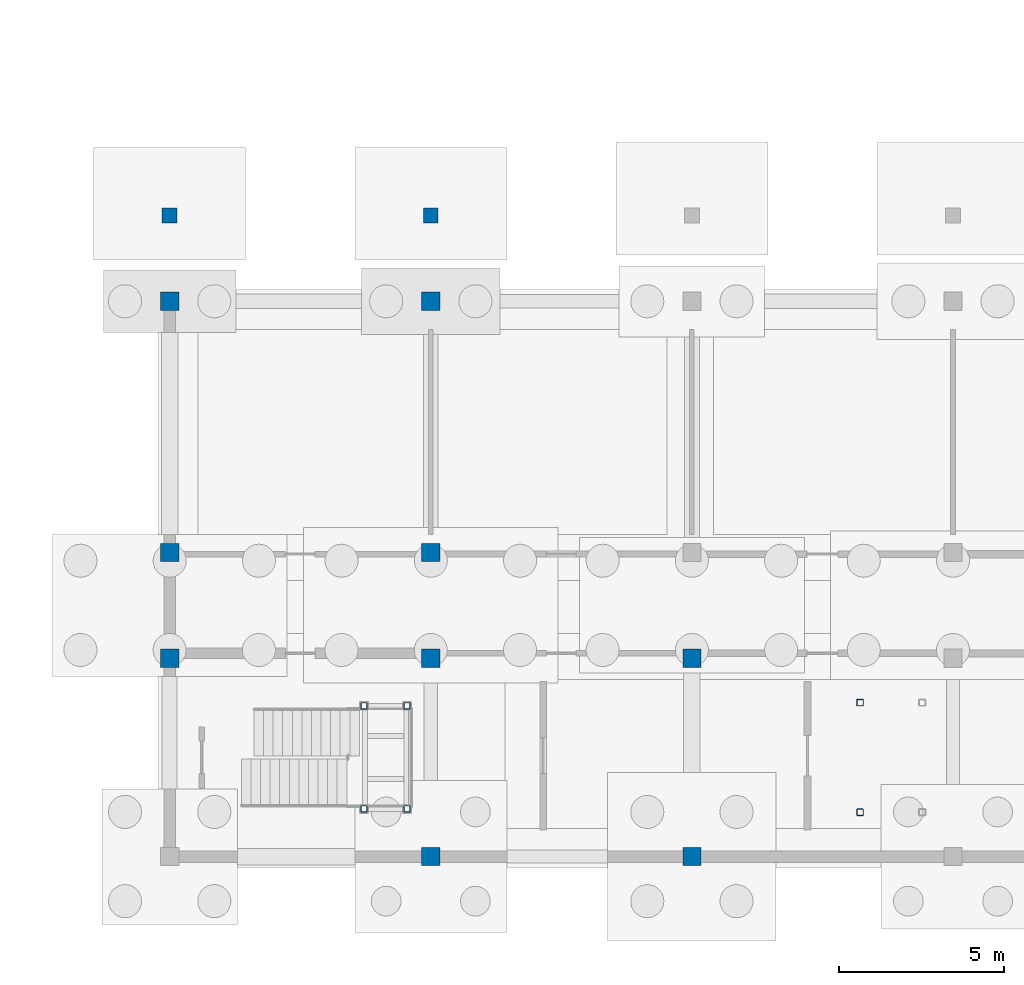
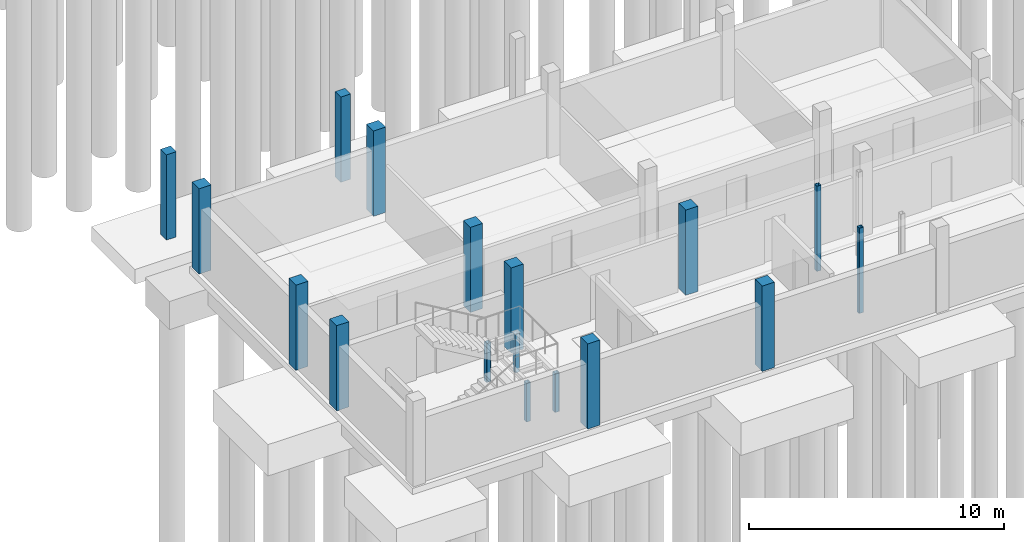
# One storey, part 9 of 58: 17 columns.
"""IFC4 building model written with IfcOpenShell, lengths in metres."""

from ifc_helpers import new_model, si_unit, direction, frame, origin, origin_2d, place, context, subcontext, project, spatial, rectangle, hollow_rectangle, extrude, material, material_profile, profile_set, type_object, element, save


model = new_model("IFC4")

# Units and contexts
model_context = context("Model", 3, precision=1e-05, world=origin(), true_north=direction((0.0, 1.0)))
body_context = subcontext(model_context, "Body", "Model", "MODEL_VIEW")
ifc_project = project(units=[si_unit("LENGTHUNIT", "METRE"), si_unit("AREAUNIT", "SQUARE_METRE"), si_unit("VOLUMEUNIT", "CUBIC_METRE"), si_unit("PLANEANGLEUNIT", "RADIAN"), si_unit("MASSUNIT", "GRAM", prefix="KILO")], contexts=[model_context])

# Site, building, storey
site_placement = place(None, origin())
site = spatial("IfcSite", under=ifc_project, at=site_placement, CompositionType="ELEMENT")
building_placement = place(site_placement, origin())
building = spatial("IfcBuilding", under=site, at=building_placement, Name="Caldaven Crescent School", CompositionType="ELEMENT")
storey_placement = place(building_placement, frame((0.0, 0.0, -4.080078125)))
storey = spatial("IfcBuildingStorey", under=building, at=storey_placement, Name="B1", CompositionType="ELEMENT", Elevation=-4.080078125)

# Columns
ifc_material_1 = material(Name="Steel ASTM A572 Grade 50", Category="steel")
ifc_material_profile_1 = material_profile(ifc_material_1, hollow_rectangle(XDim=0.199951171875, YDim=0.199951171875, WallThickness=0.010009765625, InnerFilletRadius=0.010009765625, OuterFilletRadius=0.02001953125, at=origin_2d()), Name="HSS 200x200x10")
ifc_profile_set_1 = profile_set([ifc_material_profile_1], Name="Steel ASTM A572 Grade 50")
column_type_1 = type_object("IfcColumnType", Name="COL-HS20", PredefinedType="COLUMN", material=ifc_profile_set_1)
for number, where, z_axis, x_axis, name in (
    (1, (31.3798828125, 5.639892578125, 0.0), (0.0, 0.0, 1.0), (1.0, 0.0, 0.0), "COL-STPOST-STB2-B1-A"),
    (2, (31.3798828125, 8.760009765625, 0.0), (0.0, 0.0, 1.0), (1.0, 0.0, 0.0), "COL-STPOST-STB2-B1-B"),
    (3, (32.679931640625, 5.639892578125, 0.0), (0.0, 0.0, 1.0), (1.0, 0.0, 0.0), "COL-STPOST-STB2-B1-C"),
    (4, (32.679931640625, 8.760009765625, 0.0), (0.0, 0.0, 1.0), (1.0, 0.0, 0.0), "COL-STPOST-STB2-B1-D"),
):
    element("IfcColumn", number, at=place(storey_placement, frame(where, z_axis=z_axis, x_axis=x_axis)), inside=storey, type_object=column_type_1, Name=name, PredefinedType="COLUMN", context=body_context, shape_type="SweptSolid", body=[
        extrude(hollow_rectangle(XDim=0.199951171875, YDim=0.199951171875, WallThickness=0.010009765625, InnerFilletRadius=0.010009765625, OuterFilletRadius=0.02001953125, at=origin_2d()), origin(), (0.0, 0.0, 1.0), 1.860107421875),
    ])
for number, where, z_axis, x_axis, name in (
    (5, (46.389892578125, 5.5400390625, 0.0), (0.0, 0.0, 1.0), (1.0, 0.0, 0.0), "COL-STPOST-STV4S-B1-A"),
    (6, (46.389892578125, 8.860107421875, 0.0), (0.0, 0.0, 1.0), (1.0, 0.0, 0.0), "COL-STPOST-STV4S-B1-B"),
):
    element("IfcColumn", number, at=place(storey_placement, frame(where, z_axis=z_axis, x_axis=x_axis)), inside=storey, type_object=column_type_1, Name=name, PredefinedType="COLUMN", context=body_context, shape_type="SweptSolid", body=[
        extrude(hollow_rectangle(XDim=0.199951171875, YDim=0.199951171875, WallThickness=0.010009765625, InnerFilletRadius=0.010009765625, OuterFilletRadius=0.02001953125, at=origin_2d()), origin(), (0.0, 0.0, 1.0), 4.080078125),
    ])
ifc_material_2 = material(Name="Concrete C35/45", Category="concrete")
ifc_material_profile_2 = material_profile(ifc_material_2, rectangle(XDim=0.449951171875, YDim=0.449951171875, at=origin_2d()), Name="RC 450x450")
ifc_profile_set_2 = profile_set([ifc_material_profile_2], Name="Concrete C35/45")
column_type_2 = type_object("IfcColumnType", Name="COL-RC45", PredefinedType="COLUMN", material=ifc_profile_set_2)
for number, where, z_axis, x_axis, name in (
    (7, (25.5, 23.60009765625, 0.0), (0.0, 0.0, 1.0), (1.0, 0.0, 0.0), "COL-CAN-2-W-B1"),
    (8, (33.39990234375, 23.60009765625, 0.0), (0.0, 0.0, 1.0), (1.0, 0.0, 0.0), "COL-CAN-2-E-B1"),
):
    element("IfcColumn", number, at=place(storey_placement, frame(where, z_axis=z_axis, x_axis=x_axis)), inside=storey, type_object=column_type_2, Name=name, PredefinedType="COLUMN", context=body_context, shape_type="SweptSolid", body=[
        extrude(rectangle(XDim=0.449951171875, YDim=0.449951171875, at=origin_2d()), origin(), (0.0, 0.0, 1.0), 4.080078125),
    ])
ifc_material_profile_3 = material_profile(ifc_material_2, rectangle(XDim=0.550048828125, YDim=0.550048828125, at=origin_2d()), Name="RC 550x550")
ifc_profile_set_3 = profile_set([ifc_material_profile_3], Name="Concrete C35/45")
column_type_3 = type_object("IfcColumnType", Name="COL-RC55", PredefinedType="COLUMN", material=ifc_profile_set_3)
for number, where, z_axis, x_axis, name in (
    (9, (25.5, 10.199951171875, 0.0), (0.0, 0.0, 1.0), (1.0, 0.0, 0.0), "COL-V4S-B1-0-1"),
    (10, (25.5, 13.39990234375, 0.0), (0.0, 0.0, 1.0), (1.0, 0.0, 0.0), "COL-V4S-B1-0-2"),
    (11, (25.5, 21.0, 0.0), (0.0, 0.0, 1.0), (1.0, 0.0, 0.0), "COL-V4S-B1-0-3"),
    (12, (33.39990234375, 4.199951171875, 0.0), (0.0, 0.0, 1.0), (1.0, 0.0, 0.0), "COL-V4S-B1-1-0"),
    (13, (33.39990234375, 10.199951171875, 0.0), (0.0, 0.0, 1.0), (1.0, 0.0, 0.0), "COL-V4S-B1-1-1"),
    (14, (33.39990234375, 13.39990234375, 0.0), (0.0, 0.0, 1.0), (1.0, 0.0, 0.0), "COL-V4S-B1-1-2"),
    (15, (33.39990234375, 21.0, 0.0), (0.0, 0.0, 1.0), (1.0, 0.0, 0.0), "COL-V4S-B1-1-3"),
    (16, (41.300048828125, 4.199951171875, 0.0), (0.0, 0.0, 1.0), (1.0, 0.0, 0.0), "COL-V4S-B1-2-0"),
    (17, (41.300048828125, 10.199951171875, 0.0), (0.0, 0.0, 1.0), (1.0, 0.0, 0.0), "COL-V4S-B1-2-1"),
):
    element("IfcColumn", number, at=place(storey_placement, frame(where, z_axis=z_axis, x_axis=x_axis)), inside=storey, type_object=column_type_3, Name=name, PredefinedType="COLUMN", context=body_context, shape_type="SweptSolid", body=[
        extrude(rectangle(XDim=0.550048828125, YDim=0.550048828125, at=origin_2d()), origin(), (0.0, 0.0, 1.0), 4.080078125),
    ])

save(model, "model.ifc")
